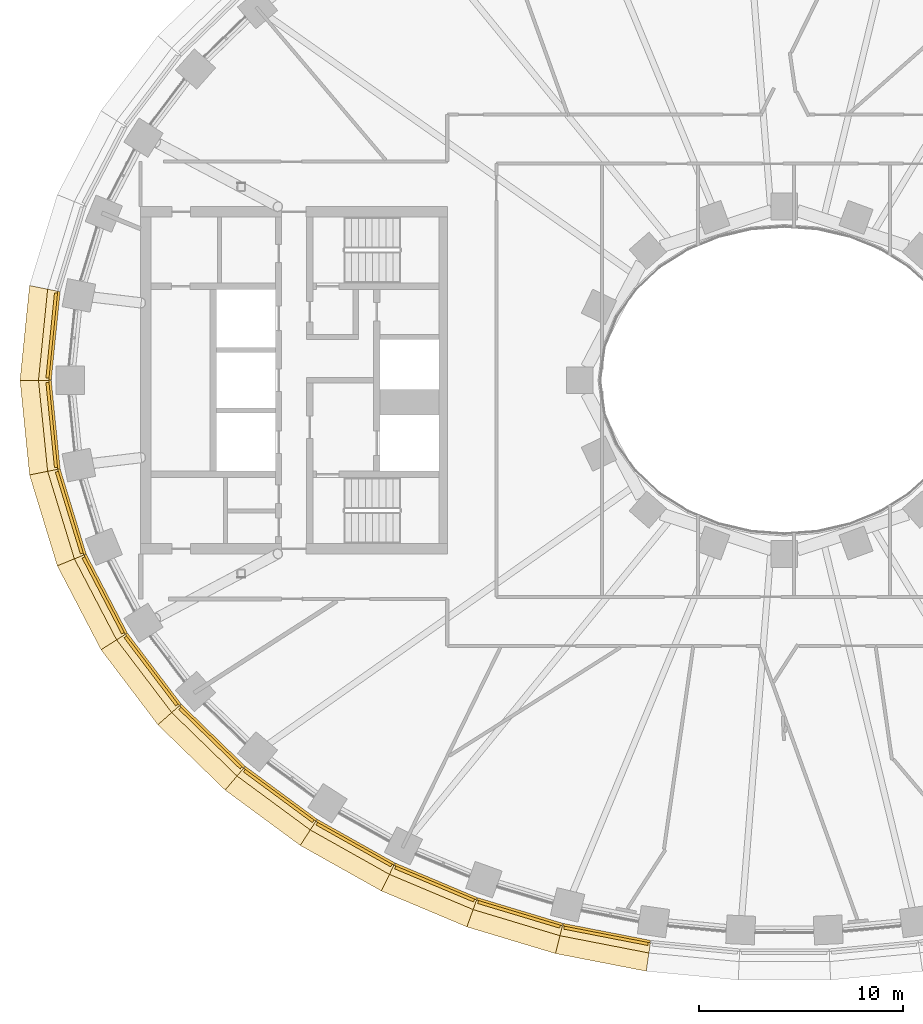
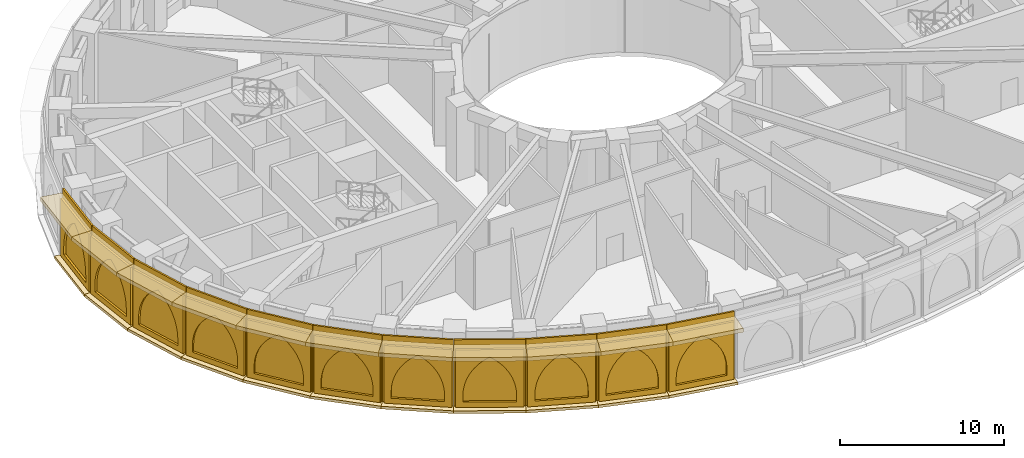
# One storey, part 20 of 25: 44 coverings.
"""IFC4 building model written with IfcOpenShell, lengths in metres."""

from ifc_helpers import new_model, si_unit, direction, frame, origin, origin_2d, place, context, subcontext, project, spatial, polyline, rectangle, outline, extrude, material, layer, layer_set, type_object, element, save


model = new_model("IFC4")

# Units and contexts
model_context = context("Model", 3, precision=1e-05, world=origin(), true_north=direction((0.0, 1.0)))
body_context = subcontext(model_context, "Body", "Model", "MODEL_VIEW")
ifc_project = project(units=[si_unit("LENGTHUNIT", "METRE"), si_unit("AREAUNIT", "SQUARE_METRE"), si_unit("VOLUMEUNIT", "CUBIC_METRE"), si_unit("PLANEANGLEUNIT", "RADIAN"), si_unit("MASSUNIT", "GRAM", prefix="KILO")], contexts=[model_context])

# Site, building, storey
site_placement = place(None, origin())
site = spatial("IfcSite", under=ifc_project, at=site_placement, CompositionType="ELEMENT")
building_placement = place(site_placement, origin())
building = spatial("IfcBuilding", under=site, at=building_placement, Name="Noorbagh Ring Tower", CompositionType="ELEMENT")
storey_placement = place(building_placement, frame((0.0, 0.0, 82.5)))
storey = spatial("IfcBuildingStorey", under=building, at=storey_placement, Name="L18", CompositionType="ELEMENT", Elevation=82.5)

# Coverings
ifc_material_1 = material(Name="Aluminium 6063-T6 black anodised", Category="aluminium")
ifc_layer_1 = layer(ifc_material_1, 0.1201171875)
ifc_layer_set_1 = layer_set([ifc_layer_1], Name="Aluminium 6063-T6 black anodised")
covering_type_1 = type_object("IfcCoveringType", Name="ENV-LOUVRE-BAND", PredefinedType="CLADDING", material=ifc_layer_set_1)
for number, where, z_axis, x_axis, name in (
    (1, (-35.720947265625, 2.17333984375, -0.300048828125), (0.0, 0.0, 1.0), (-0.100178263068, -0.994969504864, 0.0), "Louvre screen chord 23"),
    (2, (-35.720947265625, -2.17333984375, -0.300048828125), (0.0, 0.0, 1.0), (0.100178263068, -0.994969504864, 0.0), "Louvre screen chord 24"),
):
    element("IfcCovering", number, at=place(storey_placement, frame(where, z_axis=z_axis, x_axis=x_axis)), inside=storey, type_object=covering_type_1, Name=name, ObjectType="LOUVRE", PredefinedType="CLADDING", context=body_context, shape_type="SweptSolid", body=[
        extrude(rectangle(XDim=4.34423828125, YDim=0.1201171875, at=origin_2d()), origin(), (0.0, 0.0, 1.0), 5.5),
    ])
covering_1_placement = place(storey_placement, frame((-34.86376953125, -6.436279296875, -0.300048828125), z_axis=(0.0, 0.0, 1.0), x_axis=(0.292170066961, -0.95636637957, 0.0)))
element("IfcCovering", 3, at=covering_1_placement, inside=storey, type_object=covering_type_1, Name="Louvre screen chord 25", ObjectType="LOUVRE", PredefinedType="CLADDING", context=body_context, shape_type="SweptSolid", body=[
    extrude(rectangle(XDim=4.344970703125, YDim=0.1201171875, at=origin_2d()), origin(), (0.0, 0.0, 1.0), 5.5),
])
covering_2_placement = place(storey_placement, frame((-33.21484375, -10.464111328125, -0.300048828125), z_axis=(0.0, 0.0, 1.0), x_axis=(0.462278064231, -0.88673501754, 0.0)))
element("IfcCovering", 4, at=covering_2_placement, inside=storey, type_object=covering_type_1, Name="Louvre screen chord 26", ObjectType="LOUVRE", PredefinedType="CLADDING", context=body_context, shape_type="SweptSolid", body=[
    extrude(rectangle(XDim=4.345947265625, YDim=0.1201171875, at=origin_2d()), origin(), (0.0, 0.0, 1.0), 5.5),
])
covering_3_placement = place(storey_placement, frame((-30.883544921875, -14.145263671875, -0.300048828125), z_axis=(0.0, 0.0, 1.0), x_axis=(0.604020184358, -0.796969018776, 0.0)))
element("IfcCovering", 5, at=covering_3_placement, inside=storey, type_object=covering_type_1, Name="Louvre screen chord 27", ObjectType="LOUVRE", PredefinedType="CLADDING", context=body_context, shape_type="SweptSolid", body=[
    extrude(rectangle(XDim=4.346923828125, YDim=0.1201171875, at=origin_2d()), origin(), (0.0, 0.0, 1.0), 5.5),
])
covering_4_placement = place(storey_placement, frame((-27.993408203125, -17.41259765625, -0.300048828125), z_axis=(0.0, 0.0, 1.0), x_axis=(0.717224548362, -0.696842125038, 0.0)))
element("IfcCovering", 6, at=covering_4_placement, inside=storey, type_object=covering_type_1, Name="Louvre screen chord 28", ObjectType="LOUVRE", PredefinedType="CLADDING", context=body_context, shape_type="SweptSolid", body=[
    extrude(rectangle(XDim=4.347900390625, YDim=0.1201171875, at=origin_2d()), origin(), (0.0, 0.0, 1.0), 5.5),
])
covering_5_placement = place(storey_placement, frame((-24.662109375, -20.2353515625, -0.300048828125), z_axis=(0.0, 0.0, 1.0), x_axis=(0.805153045326, -0.593067090304, 0.0)))
element("IfcCovering", 7, at=covering_5_placement, inside=storey, type_object=covering_type_1, Name="Louvre screen chord 29", ObjectType="LOUVRE", PredefinedType="CLADDING", context=body_context, shape_type="SweptSolid", body=[
    extrude(rectangle(XDim=4.3486328125, YDim=0.1201171875, at=origin_2d()), origin(), (0.0, 0.0, 1.0), 5.5),
])
covering_6_placement = place(storey_placement, frame((-20.990966796875, -22.604736328125, -0.300048828125), z_axis=(0.0, 0.0, 1.0), x_axis=(0.872044586249, -0.48942643941, 0.0)))
element("IfcCovering", 8, at=covering_6_placement, inside=storey, type_object=covering_type_1, Name="Louvre screen chord 30", ObjectType="LOUVRE", PredefinedType="CLADDING", context=body_context, shape_type="SweptSolid", body=[
    extrude(rectangle(XDim=4.34912109375, YDim=0.1201171875, at=origin_2d()), origin(), (0.0, 0.0, 1.0), 5.5),
])
covering_7_placement = place(storey_placement, frame((-17.0634765625, -24.52490234375, -0.300048828125), z_axis=(0.0, 0.0, 1.0), x_axis=(0.921811566494, -0.387638279686, 0.0)))
element("IfcCovering", 9, at=covering_7_placement, inside=storey, type_object=covering_type_1, Name="Louvre screen chord 31", ObjectType="LOUVRE", PredefinedType="CLADDING", context=body_context, shape_type="SweptSolid", body=[
    extrude(rectangle(XDim=4.349365234375, YDim=0.1201171875, at=origin_2d()), origin(), (0.0, 0.0, 1.0), 5.5),
])
covering_8_placement = place(storey_placement, frame((-12.947998046875, -26.0048828125, -0.300048828125), z_axis=(0.0, 0.0, 1.0), x_axis=(0.957577925467, -0.28817445525, 0.0)))
element("IfcCovering", 10, at=covering_8_placement, inside=storey, type_object=covering_type_1, Name="Louvre screen chord 32", ObjectType="LOUVRE", PredefinedType="CLADDING", context=body_context, shape_type="SweptSolid", body=[
    extrude(rectangle(XDim=4.349609375, YDim=0.1201171875, at=origin_2d()), origin(), (0.0, 0.0, 1.0), 5.5),
])
covering_9_placement = place(storey_placement, frame((-8.700927734375, -27.053955078125, -0.300048828125), z_axis=(0.0, 0.0, 1.0), x_axis=(0.981624952922, -0.190820470077, 0.0)))
element("IfcCovering", 11, at=covering_9_placement, inside=storey, type_object=covering_type_1, Name="Louvre screen chord 33", ObjectType="LOUVRE", PredefinedType="CLADDING", context=body_context, shape_type="SweptSolid", body=[
    extrude(rectangle(XDim=4.349853515625, YDim=0.1201171875, at=origin_2d()), origin(), (0.0, 0.0, 1.0), 5.5),
])
ifc_material_2 = material(Name="Red sandstone cladding", Category="masonry")
ifc_layer_2 = layer(ifc_material_2, 0.14990234375)
ifc_layer_set_2 = layer_set([ifc_layer_2], Name="Red sandstone cladding")
covering_type_2 = type_object("IfcCoveringType", Name="STYLE-BAND-ARCADE", PredefinedType="USERDEFINED", material=ifc_layer_set_2)
for number, where, z_axis, x_axis, name in (
    (12, (-35.720458984375, 4.274169921875, 0.25), (-0.99497222215, 0.100151271334, 0.0), (-0.100151271334, -0.99497222215, 0.0), "Blind arch bay of the band"),
    (13, (-36.13916015625, -0.114501953125, 0.25), (-0.99497222215, -0.100151271334, 0.0), (0.100151271334, -0.99497222215, 0.0), "Blind arch bay of the band"),
):
    element("IfcCovering", number, at=place(storey_placement, frame(where, z_axis=z_axis, x_axis=x_axis)), inside=storey, type_object=covering_type_2, Name=name, ObjectType="ARCH", PredefinedType="USERDEFINED", context=body_context, shape_type="SweptSolid", body=[
        extrude(outline(polyline([(0.0, 0.0), (4.1806640625, 0.0), (4.1806640625, 4.300048828125), (0.0, 4.300048828125), (0.0, 0.0)]), holes=[polyline([(0.449951171875, 0.39990234375), (0.449951171875, 0.908935546875), (0.47802734375, 1.337158203125), (0.561767578125, 1.758056640625), (0.69970703125, 2.164306640625), (0.889404296875, 2.54931640625), (1.1279296875, 2.906005859375), (1.410888671875, 3.228759765625), (1.7333984375, 3.51171875), (2.09033203125, 3.75), (2.447265625, 3.51171875), (2.769775390625, 3.228759765625), (3.052734375, 2.906005859375), (3.291259765625, 2.54931640625), (3.48095703125, 2.164306640625), (3.618896484375, 1.758056640625), (3.70263671875, 1.337158203125), (3.730712890625, 0.908935546875), (3.730712890625, 0.39990234375), (0.449951171875, 0.39990234375)])]), origin(), (0.0, 0.0, -1.0), 0.14990234375),
    ])
covering_10_placement = place(storey_placement, frame((-35.67529296875, -4.498046875, 0.25), z_axis=(-0.956367886414, -0.292165134531, 0.0), x_axis=(0.292165134531, -0.956367886414, 0.0)))
element("IfcCovering", 14, at=covering_10_placement, inside=storey, type_object=covering_type_2, Name="Blind arch bay of the band", ObjectType="ARCH", PredefinedType="USERDEFINED", context=body_context, shape_type="SweptSolid", body=[
    extrude(outline(polyline([(0.0, 0.0), (4.181396484375, 0.0), (4.181396484375, 4.300048828125), (0.0, 4.300048828125), (0.0, 0.0)]), holes=[polyline([(0.449951171875, 0.39990234375), (0.449951171875, 0.908447265625), (0.47802734375, 1.336669921875), (0.561767578125, 1.757568359375), (0.69970703125, 2.1640625), (0.8896484375, 2.549072265625), (1.128173828125, 2.906005859375), (1.4111328125, 3.228515625), (1.73388671875, 3.51171875), (2.0908203125, 3.75), (2.447509765625, 3.51171875), (2.770263671875, 3.228515625), (3.05322265625, 2.906005859375), (3.291748046875, 2.549072265625), (3.4814453125, 2.1640625), (3.619384765625, 1.757568359375), (3.703125, 1.336669921875), (3.731201171875, 0.908447265625), (3.731201171875, 0.39990234375), (0.449951171875, 0.39990234375)])]), origin(), (0.0, 0.0, -1.0), 0.14990234375),
])
covering_11_placement = place(storey_placement, frame((-34.367919921875, -8.706787109375, 0.25), z_axis=(-0.886709716342, -0.462326593379, 0.0), x_axis=(0.462326593379, -0.886709716342, 0.0)))
element("IfcCovering", 15, at=covering_11_placement, inside=storey, type_object=covering_type_2, Name="Blind arch bay of the band", ObjectType="ARCH", PredefinedType="USERDEFINED", context=body_context, shape_type="SweptSolid", body=[
    extrude(outline(polyline([(0.0, 0.0), (4.182373046875, 0.0), (4.182373046875, 4.300048828125), (0.0, 4.300048828125), (0.0, 0.0)]), holes=[polyline([(0.449951171875, 0.39990234375), (0.449951171875, 0.907470703125), (0.47802734375, 1.3359375), (0.561767578125, 1.757080078125), (0.699951171875, 2.16357421875), (0.8896484375, 2.548583984375), (1.12841796875, 2.90576171875), (1.411376953125, 3.228515625), (1.734130859375, 3.51171875), (2.09130859375, 3.75), (2.447998046875, 3.51171875), (2.77099609375, 3.228515625), (3.053955078125, 2.90576171875), (3.29248046875, 2.548583984375), (3.482421875, 2.16357421875), (3.62060546875, 1.757080078125), (3.7041015625, 1.3359375), (3.732421875, 0.907470703125), (3.732421875, 0.39990234375), (0.449951171875, 0.39990234375)])]), origin(), (0.0, 0.0, -1.0), 0.14990234375),
])
covering_12_placement = place(storey_placement, frame((-32.314453125, -12.60498046875, 0.25), z_axis=(-0.796985737541, -0.603998124299, 0.0), x_axis=(0.603998124299, -0.796985737541, 0.0)))
element("IfcCovering", 16, at=covering_12_placement, inside=storey, type_object=covering_type_2, Name="Blind arch bay of the band", ObjectType="ARCH", PredefinedType="USERDEFINED", context=body_context, shape_type="SweptSolid", body=[
    extrude(outline(polyline([(0.0, 0.0), (4.18359375, 0.0), (4.18359375, 4.300048828125), (0.0, 4.300048828125), (0.0, 0.0)]), holes=[polyline([(0.449951171875, 0.39990234375), (0.449951171875, 0.906494140625), (0.47802734375, 1.335205078125), (0.56201171875, 1.75634765625), (0.699951171875, 2.1630859375), (0.889892578125, 2.54833984375), (1.12841796875, 2.905517578125), (1.41162109375, 3.228271484375), (1.734619140625, 3.511474609375), (2.091796875, 3.75), (2.44873046875, 3.511474609375), (2.771728515625, 3.228271484375), (3.054931640625, 2.905517578125), (3.29345703125, 2.54833984375), (3.4833984375, 2.1630859375), (3.62158203125, 1.75634765625), (3.705322265625, 1.335205078125), (3.7333984375, 0.906494140625), (3.7333984375, 0.39990234375), (0.449951171875, 0.39990234375)])]), origin(), (0.0, 0.0, -1.0), 0.14990234375),
])
covering_13_placement = place(storey_placement, frame((-29.640380859375, -16.10546875, 0.25), z_axis=(-0.696851724238, -0.717215221831, 0.0), x_axis=(0.717215221831, -0.696851724238, 0.0)))
element("IfcCovering", 17, at=covering_13_placement, inside=storey, type_object=covering_type_2, Name="Blind arch bay of the band", ObjectType="ARCH", PredefinedType="USERDEFINED", context=body_context, shape_type="SweptSolid", body=[
    extrude(outline(polyline([(0.0, 0.0), (4.184326171875, 0.0), (4.184326171875, 4.300048828125), (0.0, 4.300048828125), (0.0, 0.0)]), holes=[polyline([(0.449951171875, 0.39990234375), (0.449951171875, 0.90576171875), (0.47802734375, 1.33447265625), (0.56201171875, 1.755859375), (0.699951171875, 2.16259765625), (0.889892578125, 2.548095703125), (1.128662109375, 2.9052734375), (1.411865234375, 3.228271484375), (1.73486328125, 3.511474609375), (2.092041015625, 3.75), (2.44921875, 3.511474609375), (2.772216796875, 3.228271484375), (3.0556640625, 2.9052734375), (3.294189453125, 2.548095703125), (3.484130859375, 2.16259765625), (3.622314453125, 1.755859375), (3.706298828125, 1.33447265625), (3.734130859375, 0.90576171875), (3.734130859375, 0.39990234375), (0.449951171875, 0.39990234375)])]), origin(), (0.0, 0.0, -1.0), 0.14990234375),
])
covering_14_placement = place(storey_placement, frame((-26.471435546875, -19.163330078125, 0.25), z_axis=(-0.593079629262, -0.805143809114, 0.0), x_axis=(0.805143809114, -0.593079629262, 0.0)))
element("IfcCovering", 18, at=covering_14_placement, inside=storey, type_object=covering_type_2, Name="Blind arch bay of the band", ObjectType="ARCH", PredefinedType="USERDEFINED", context=body_context, shape_type="SweptSolid", body=[
    extrude(outline(polyline([(0.0, 0.0), (4.184814453125, 0.0), (4.184814453125, 4.300048828125), (0.0, 4.300048828125), (0.0, 0.0)]), holes=[polyline([(0.449951171875, 0.39990234375), (0.449951171875, 0.9052734375), (0.47802734375, 1.333984375), (0.56201171875, 1.75537109375), (0.7001953125, 2.162353515625), (0.89013671875, 2.547607421875), (1.12890625, 2.905029296875), (1.412109375, 3.22802734375), (1.735107421875, 3.511474609375), (2.092529296875, 3.75), (2.44970703125, 3.511474609375), (2.772705078125, 3.22802734375), (3.05615234375, 2.905029296875), (3.294921875, 2.547607421875), (3.48486328125, 2.162353515625), (3.623046875, 1.75537109375), (3.706787109375, 1.333984375), (3.73486328125, 0.9052734375), (3.73486328125, 0.39990234375), (0.449951171875, 0.39990234375)])]), origin(), (0.0, 0.0, -1.0), 0.14990234375),
])
covering_15_placement = place(storey_placement, frame((-22.918701171875, -21.763671875, 0.25), z_axis=(-0.489402470802, -0.872058037961, 0.0), x_axis=(0.872058037961, -0.489402470802, 0.0)))
element("IfcCovering", 19, at=covering_15_placement, inside=storey, type_object=covering_type_2, Name="Blind arch bay of the band", ObjectType="ARCH", PredefinedType="USERDEFINED", context=body_context, shape_type="SweptSolid", body=[
    extrude(outline(polyline([(0.0, 0.0), (4.185302734375, 0.0), (4.185302734375, 4.300048828125), (0.0, 4.300048828125), (0.0, 0.0)]), holes=[polyline([(0.449951171875, 0.39990234375), (0.449951171875, 0.90478515625), (0.47802734375, 1.33349609375), (0.56201171875, 1.755126953125), (0.7001953125, 2.162109375), (0.89013671875, 2.547607421875), (1.12890625, 2.90478515625), (1.412353515625, 3.22802734375), (1.7353515625, 3.51123046875), (2.0927734375, 3.75), (2.4501953125, 3.51123046875), (2.773193359375, 3.22802734375), (3.056396484375, 2.90478515625), (3.29541015625, 2.547607421875), (3.4853515625, 2.162109375), (3.62353515625, 1.755126953125), (3.70751953125, 1.33349609375), (3.735595703125, 0.90478515625), (3.735595703125, 0.39990234375), (0.449951171875, 0.39990234375)])]), origin(), (0.0, 0.0, -1.0), 0.14990234375),
])
covering_16_placement = place(storey_placement, frame((-19.07421875, -23.9072265625, 0.25), z_axis=(-0.387624121421, -0.92181752017, 0.0), x_axis=(0.92181752017, -0.387624121421, 0.0)))
element("IfcCovering", 20, at=covering_16_placement, inside=storey, type_object=covering_type_2, Name="Blind arch bay of the band", ObjectType="ARCH", PredefinedType="USERDEFINED", context=body_context, shape_type="SweptSolid", body=[
    extrude(outline(polyline([(0.0, 0.0), (4.185791015625, 0.0), (4.185791015625, 4.300048828125), (0.0, 4.300048828125), (0.0, 0.0)]), holes=[polyline([(0.449951171875, 0.39990234375), (0.449951171875, 0.904541015625), (0.47802734375, 1.33349609375), (0.56201171875, 1.7548828125), (0.7001953125, 2.161865234375), (0.89013671875, 2.54736328125), (1.12890625, 2.90478515625), (1.412353515625, 3.227783203125), (1.735595703125, 3.51123046875), (2.093017578125, 3.75), (2.4501953125, 3.51123046875), (2.7734375, 3.227783203125), (3.056884765625, 2.90478515625), (3.295654296875, 2.54736328125), (3.485595703125, 2.161865234375), (3.623779296875, 1.7548828125), (3.707763671875, 1.33349609375), (3.73583984375, 0.904541015625), (3.73583984375, 0.39990234375), (0.449951171875, 0.39990234375)])]), origin(), (0.0, 0.0, -1.0), 0.14990234375),
])
covering_17_placement = place(storey_placement, frame((-15.0126953125, -25.602783203125, 0.25), z_axis=(-0.288182515773, -0.957575499688, 0.0), x_axis=(0.957575499688, -0.288182515773, 0.0)))
element("IfcCovering", 21, at=covering_17_placement, inside=storey, type_object=covering_type_2, Name="Blind arch bay of the band", ObjectType="ARCH", PredefinedType="USERDEFINED", context=body_context, shape_type="SweptSolid", body=[
    extrude(outline(polyline([(0.0, 0.0), (4.185791015625, 0.0), (4.185791015625, 4.300048828125), (0.0, 4.300048828125), (0.0, 0.0)]), holes=[polyline([(0.449951171875, 0.39990234375), (0.449951171875, 0.904296875), (0.47802734375, 1.333251953125), (0.56201171875, 1.7548828125), (0.7001953125, 2.161865234375), (0.890380859375, 2.54736328125), (1.129150390625, 2.90478515625), (1.41259765625, 3.227783203125), (1.735595703125, 3.51123046875), (2.093017578125, 3.75), (2.450439453125, 3.51123046875), (2.773681640625, 3.227783203125), (3.056884765625, 2.90478515625), (3.2958984375, 2.54736328125), (3.48583984375, 2.161865234375), (3.6240234375, 1.7548828125), (3.7080078125, 1.333251953125), (3.736083984375, 0.904296875), (3.736083984375, 0.39990234375), (0.449951171875, 0.39990234375)])]), origin(), (0.0, 0.0, -1.0), 0.14990234375),
])
covering_18_placement = place(storey_placement, frame((-10.7958984375, -26.860595703125, 0.25), z_axis=(-0.190819708322, -0.981625101001, 0.0), x_axis=(0.981625101001, -0.190819708322, 0.0)))
element("IfcCovering", 22, at=covering_18_placement, inside=storey, type_object=covering_type_2, Name="Blind arch bay of the band", ObjectType="ARCH", PredefinedType="USERDEFINED", context=body_context, shape_type="SweptSolid", body=[
    extrude(outline(polyline([(0.0, 0.0), (4.186279296875, 0.0), (4.186279296875, 4.300048828125), (0.0, 4.300048828125), (0.0, 0.0)]), holes=[polyline([(0.449951171875, 0.39990234375), (0.449951171875, 0.904052734375), (0.47802734375, 1.3330078125), (0.56201171875, 1.754638671875), (0.7001953125, 2.16162109375), (0.890380859375, 2.547119140625), (1.129150390625, 2.90478515625), (1.41259765625, 3.227783203125), (1.735595703125, 3.51123046875), (2.093017578125, 3.75), (2.450439453125, 3.51123046875), (2.773681640625, 3.227783203125), (3.05712890625, 2.90478515625), (3.2958984375, 2.547119140625), (3.486083984375, 2.16162109375), (3.624267578125, 1.754638671875), (3.7080078125, 1.3330078125), (3.736083984375, 0.904052734375), (3.736083984375, 0.39990234375), (0.449951171875, 0.39990234375)])]), origin(), (0.0, 0.0, -1.0), 0.14990234375),
])
ifc_material_3 = material(Name="Red sandstone eave", Category="masonry")
covering_type_3 = type_object("IfcCoveringType", Name="STYLE-BAND-EAVE", PredefinedType="USERDEFINED", material=ifc_material_3)
covering_19_placement = place(storey_placement, frame((0.0, 0.0, 4.550048828125)))
element("IfcCovering", 23, at=covering_19_placement, inside=storey, type_object=covering_type_3, Name="Chhajja eave", ObjectType="CHHAJJA", PredefinedType="USERDEFINED", context=body_context, shape_type="SweptSolid", body=[
    extrude(outline(polyline([(-35.561279296875, 4.358642578125), (-36.0, 0.0), (-37.406982421875, 0.0), (-36.940185546875, 4.635986328125), (-35.561279296875, 4.358642578125)])), origin(), (0.0, 0.0, 1.0), 0.300048828125),
])
covering_20_placement = place(storey_placement, frame((0.0, 0.0, 4.550048828125)))
element("IfcCovering", 24, at=covering_20_placement, inside=storey, type_object=covering_type_3, Name="Chhajja eave", ObjectType="CHHAJJA", PredefinedType="USERDEFINED", context=body_context, shape_type="SweptSolid", body=[
    extrude(outline(polyline([(-36.0, 0.0), (-35.561279296875, -4.358642578125), (-36.940185546875, -4.635986328125), (-37.406982421875, 0.0), (-36.0, 0.0)])), origin(), (0.0, 0.0, 1.0), 0.300048828125),
])
covering_21_placement = place(storey_placement, frame((0.0, 0.0, 4.550048828125)))
element("IfcCovering", 25, at=covering_21_placement, inside=storey, type_object=covering_type_3, Name="Chhajja eave", ObjectType="CHHAJJA", PredefinedType="USERDEFINED", context=body_context, shape_type="SweptSolid", body=[
    extrude(outline(polyline([(-35.561279296875, -4.358642578125), (-34.281005859375, -8.548828125), (-35.582275390625, -9.081298828125), (-36.940185546875, -4.635986328125), (-35.561279296875, -4.358642578125)])), origin(), (0.0, 0.0, 1.0), 0.300048828125),
])
covering_22_placement = place(storey_placement, frame((0.0, 0.0, 4.550048828125)))
element("IfcCovering", 26, at=covering_22_placement, inside=storey, type_object=covering_type_3, Name="Chhajja eave", ObjectType="CHHAJJA", PredefinedType="USERDEFINED", context=body_context, shape_type="SweptSolid", body=[
    extrude(outline(polyline([(-34.281005859375, -8.548828125), (-32.255126953125, -12.434814453125), (-33.442138671875, -13.186279296875), (-35.582275390625, -9.081298828125), (-34.281005859375, -8.548828125)])), origin(), (0.0, 0.0, 1.0), 0.300048828125),
])
covering_23_placement = place(storey_placement, frame((0.0, 0.0, 4.550048828125)))
element("IfcCovering", 27, at=covering_23_placement, inside=storey, type_object=covering_type_3, Name="Chhajja eave", ObjectType="CHHAJJA", PredefinedType="USERDEFINED", context=body_context, shape_type="SweptSolid", body=[
    extrude(outline(polyline([(-32.255126953125, -12.434814453125), (-29.607666015625, -15.927978515625), (-30.6591796875, -16.8583984375), (-33.442138671875, -13.186279296875), (-32.255126953125, -12.434814453125)])), origin(), (0.0, 0.0, 1.0), 0.300048828125),
])
covering_24_placement = place(storey_placement, frame((0.0, 0.0, 4.550048828125)))
element("IfcCovering", 28, at=covering_24_placement, inside=storey, type_object=covering_type_3, Name="Chhajja eave", ObjectType="CHHAJJA", PredefinedType="USERDEFINED", context=body_context, shape_type="SweptSolid", body=[
    extrude(outline(polyline([(-29.607666015625, -15.927978515625), (-26.463134765625, -18.9833984375), (-27.3701171875, -20.053955078125), (-30.6591796875, -16.8583984375), (-29.607666015625, -15.927978515625)])), origin(), (0.0, 0.0, 1.0), 0.300048828125),
])
covering_25_placement = place(storey_placement, frame((0.0, 0.0, 4.550048828125)))
element("IfcCovering", 29, at=covering_25_placement, inside=storey, type_object=covering_type_3, Name="Chhajja eave", ObjectType="CHHAJJA", PredefinedType="USERDEFINED", context=body_context, shape_type="SweptSolid", body=[
    extrude(outline(polyline([(-26.463134765625, -18.9833984375), (-22.9326171875, -21.583740234375), (-23.693115234375, -22.762451171875), (-27.3701171875, -20.053955078125), (-26.463134765625, -18.9833984375)])), origin(), (0.0, 0.0, 1.0), 0.300048828125),
])
covering_26_placement = place(storey_placement, frame((0.0, 0.0, 4.550048828125)))
element("IfcCovering", 30, at=covering_26_placement, inside=storey, type_object=covering_type_3, Name="Chhajja eave", ObjectType="CHHAJJA", PredefinedType="USERDEFINED", context=body_context, shape_type="SweptSolid", body=[
    extrude(outline(polyline([(-22.9326171875, -21.583740234375), (-19.108154296875, -23.730224609375), (-19.72412109375, -24.989990234375), (-23.693115234375, -22.762451171875), (-22.9326171875, -21.583740234375)])), origin(), (0.0, 0.0, 1.0), 0.300048828125),
])
covering_27_placement = place(storey_placement, frame((0.0, 0.0, 4.550048828125)))
element("IfcCovering", 31, at=covering_27_placement, inside=storey, type_object=covering_type_3, Name="Chhajja eave", ObjectType="CHHAJJA", PredefinedType="USERDEFINED", context=body_context, shape_type="SweptSolid", body=[
    extrude(outline(polyline([(-19.108154296875, -23.730224609375), (-15.065185546875, -25.430419921875), (-15.539794921875, -26.74951171875), (-19.72412109375, -24.989990234375), (-19.108154296875, -23.730224609375)])), origin(), (0.0, 0.0, 1.0), 0.300048828125),
])
covering_28_placement = place(storey_placement, frame((0.0, 0.0, 4.550048828125)))
element("IfcCovering", 32, at=covering_28_placement, inside=storey, type_object=covering_type_3, Name="Chhajja eave", ObjectType="CHHAJJA", PredefinedType="USERDEFINED", context=body_context, shape_type="SweptSolid", body=[
    extrude(outline(polyline([(-15.065185546875, -25.430419921875), (-10.865234375, -26.6943359375), (-11.201416015625, -28.05517578125), (-15.539794921875, -26.74951171875), (-15.065185546875, -25.430419921875)])), origin(), (0.0, 0.0, 1.0), 0.300048828125),
])
covering_29_placement = place(storey_placement, frame((0.0, 0.0, 4.550048828125)))
element("IfcCovering", 33, at=covering_29_placement, inside=storey, type_object=covering_type_3, Name="Chhajja eave", ObjectType="CHHAJJA", PredefinedType="USERDEFINED", context=body_context, shape_type="SweptSolid", body=[
    extrude(outline(polyline([(-10.865234375, -26.6943359375), (-6.559814453125, -27.53125), (-6.76025390625, -28.91845703125), (-11.201416015625, -28.05517578125), (-10.865234375, -26.6943359375)])), origin(), (0.0, 0.0, 1.0), 0.300048828125),
])
ifc_material_4 = material(Name="Red sandstone eave", Category="masonry")
covering_type_4 = type_object("IfcCoveringType", Name="STYLE-BAND-SILL", PredefinedType="USERDEFINED", material=ifc_material_4)
covering_30_placement = place(storey_placement, frame((0.0, 0.0, 0.050048828125)))
element("IfcCovering", 34, at=covering_30_placement, inside=storey, type_object=covering_type_4, Name="Sill ledge", ObjectType="CHHAJJA", PredefinedType="USERDEFINED", context=body_context, shape_type="SweptSolid", body=[
    extrude(outline(polyline([(-35.561279296875, 4.358642578125), (-36.0, 0.0), (-36.50244140625, 0.0), (-36.0537109375, 4.457763671875), (-35.561279296875, 4.358642578125)])), origin(), (0.0, 0.0, 1.0), 0.199951171875),
])
covering_31_placement = place(storey_placement, frame((0.0, 0.0, 0.050048828125)))
element("IfcCovering", 35, at=covering_31_placement, inside=storey, type_object=covering_type_4, Name="Sill ledge", ObjectType="CHHAJJA", PredefinedType="USERDEFINED", context=body_context, shape_type="SweptSolid", body=[
    extrude(outline(polyline([(-36.0, 0.0), (-35.561279296875, -4.358642578125), (-36.0537109375, -4.457763671875), (-36.50244140625, 0.0), (-36.0, 0.0)])), origin(), (0.0, 0.0, 1.0), 0.199951171875),
])
covering_32_placement = place(storey_placement, frame((0.0, 0.0, 0.050048828125)))
element("IfcCovering", 36, at=covering_32_placement, inside=storey, type_object=covering_type_4, Name="Sill ledge", ObjectType="CHHAJJA", PredefinedType="USERDEFINED", context=body_context, shape_type="SweptSolid", body=[
    extrude(outline(polyline([(-35.561279296875, -4.358642578125), (-34.281005859375, -8.548828125), (-34.745849609375, -8.739013671875), (-36.0537109375, -4.457763671875), (-35.561279296875, -4.358642578125)])), origin(), (0.0, 0.0, 1.0), 0.199951171875),
])
covering_33_placement = place(storey_placement, frame((0.0, 0.0, 0.050048828125)))
element("IfcCovering", 37, at=covering_33_placement, inside=storey, type_object=covering_type_4, Name="Sill ledge", ObjectType="CHHAJJA", PredefinedType="USERDEFINED", context=body_context, shape_type="SweptSolid", body=[
    extrude(outline(polyline([(-34.281005859375, -8.548828125), (-32.255126953125, -12.434814453125), (-32.67919921875, -12.703125), (-34.745849609375, -8.739013671875), (-34.281005859375, -8.548828125)])), origin(), (0.0, 0.0, 1.0), 0.199951171875),
])
covering_34_placement = place(storey_placement, frame((0.0, 0.0, 0.050048828125)))
element("IfcCovering", 38, at=covering_34_placement, inside=storey, type_object=covering_type_4, Name="Sill ledge", ObjectType="CHHAJJA", PredefinedType="USERDEFINED", context=body_context, shape_type="SweptSolid", body=[
    extrude(outline(polyline([(-32.255126953125, -12.434814453125), (-29.607666015625, -15.927978515625), (-29.983154296875, -16.260498046875), (-32.67919921875, -12.703125), (-32.255126953125, -12.434814453125)])), origin(), (0.0, 0.0, 1.0), 0.199951171875),
])
covering_35_placement = place(storey_placement, frame((0.0, 0.0, 0.050048828125)))
element("IfcCovering", 39, at=covering_35_placement, inside=storey, type_object=covering_type_4, Name="Sill ledge", ObjectType="CHHAJJA", PredefinedType="USERDEFINED", context=body_context, shape_type="SweptSolid", body=[
    extrude(outline(polyline([(-29.607666015625, -15.927978515625), (-26.463134765625, -18.9833984375), (-26.787109375, -19.365478515625), (-29.983154296875, -16.260498046875), (-29.607666015625, -15.927978515625)])), origin(), (0.0, 0.0, 1.0), 0.199951171875),
])
covering_36_placement = place(storey_placement, frame((0.0, 0.0, 0.050048828125)))
element("IfcCovering", 40, at=covering_36_placement, inside=storey, type_object=covering_type_4, Name="Sill ledge", ObjectType="CHHAJJA", PredefinedType="USERDEFINED", context=body_context, shape_type="SweptSolid", body=[
    extrude(outline(polyline([(-26.463134765625, -18.9833984375), (-22.9326171875, -21.583740234375), (-23.2041015625, -22.004638671875), (-26.787109375, -19.365478515625), (-26.463134765625, -18.9833984375)])), origin(), (0.0, 0.0, 1.0), 0.199951171875),
])
covering_37_placement = place(storey_placement, frame((0.0, 0.0, 0.050048828125)))
element("IfcCovering", 41, at=covering_37_placement, inside=storey, type_object=covering_type_4, Name="Sill ledge", ObjectType="CHHAJJA", PredefinedType="USERDEFINED", context=body_context, shape_type="SweptSolid", body=[
    extrude(outline(polyline([(-22.9326171875, -21.583740234375), (-19.108154296875, -23.730224609375), (-19.328125, -24.18017578125), (-23.2041015625, -22.004638671875), (-22.9326171875, -21.583740234375)])), origin(), (0.0, 0.0, 1.0), 0.199951171875),
])
covering_38_placement = place(storey_placement, frame((0.0, 0.0, 0.050048828125)))
element("IfcCovering", 42, at=covering_38_placement, inside=storey, type_object=covering_type_4, Name="Sill ledge", ObjectType="CHHAJJA", PredefinedType="USERDEFINED", context=body_context, shape_type="SweptSolid", body=[
    extrude(outline(polyline([(-19.108154296875, -23.730224609375), (-15.065185546875, -25.430419921875), (-15.234619140625, -25.901611328125), (-19.328125, -24.18017578125), (-19.108154296875, -23.730224609375)])), origin(), (0.0, 0.0, 1.0), 0.199951171875),
])
covering_39_placement = place(storey_placement, frame((0.0, 0.0, 0.050048828125)))
element("IfcCovering", 43, at=covering_39_placement, inside=storey, type_object=covering_type_4, Name="Sill ledge", ObjectType="CHHAJJA", PredefinedType="USERDEFINED", context=body_context, shape_type="SweptSolid", body=[
    extrude(outline(polyline([(-15.065185546875, -25.430419921875), (-10.865234375, -26.6943359375), (-10.9853515625, -27.180419921875), (-15.234619140625, -25.901611328125), (-15.065185546875, -25.430419921875)])), origin(), (0.0, 0.0, 1.0), 0.199951171875),
])
covering_40_placement = place(storey_placement, frame((0.0, 0.0, 0.050048828125)))
element("IfcCovering", 44, at=covering_40_placement, inside=storey, type_object=covering_type_4, Name="Sill ledge", ObjectType="CHHAJJA", PredefinedType="USERDEFINED", context=body_context, shape_type="SweptSolid", body=[
    extrude(outline(polyline([(-10.865234375, -26.6943359375), (-6.559814453125, -27.53125), (-6.63134765625, -28.026611328125), (-10.9853515625, -27.180419921875), (-10.865234375, -26.6943359375)])), origin(), (0.0, 0.0, 1.0), 0.199951171875),
])

save(model, "model.ifc")
